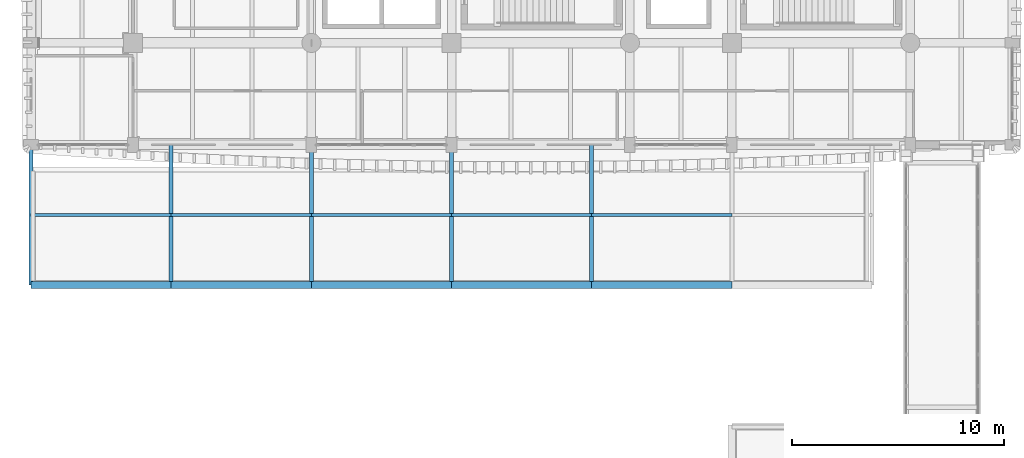
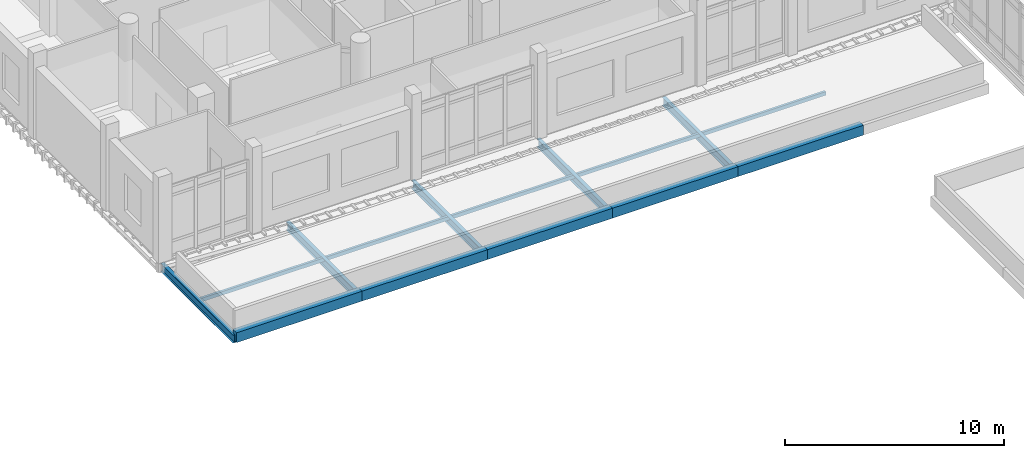
# One storey, part 25 of 125: 10 beams, 5 members.
"""IFC4 building model written with IfcOpenShell, lengths in metres."""

from ifc_helpers import new_model, si_unit, direction, frame, origin, origin_2d, place, context, subcontext, project, spatial, rectangle, hollow_rectangle, i_section, extrude, material, material_profile, profile_set, type_object, element, save


model = new_model("IFC4")

# Units and contexts
model_context = context("Model", 3, precision=1e-05, world=origin(), true_north=direction((0.0, 1.0)))
body_context = subcontext(model_context, "Body", "Model", "MODEL_VIEW")
ifc_project = project(units=[si_unit("LENGTHUNIT", "METRE"), si_unit("AREAUNIT", "SQUARE_METRE"), si_unit("VOLUMEUNIT", "CUBIC_METRE"), si_unit("PLANEANGLEUNIT", "RADIAN"), si_unit("MASSUNIT", "GRAM", prefix="KILO")], contexts=[model_context])

# Site, building, storey
site_placement = place(None, origin())
site = spatial("IfcSite", under=ifc_project, at=site_placement, CompositionType="ELEMENT")
building_placement = place(site_placement, origin())
building = spatial("IfcBuilding", under=site, at=building_placement, Name="Dornvale Research Institute", CompositionType="ELEMENT")
storey_placement = place(building_placement, frame((0.0, 0.0, 5.39990234375)))
storey = spatial("IfcBuildingStorey", under=building, at=storey_placement, Name="L01", CompositionType="ELEMENT", Elevation=5.39990234375)

# Beams
ifc_material_1 = material(Name="Steel ASTM A992 Grade 50", Category="steel")
ifc_material_profile_1 = material_profile(ifc_material_1, i_section(OverallWidth=0.19091796875, OverallDepth=0.4599609375, WebThickness=0.010009765625, FlangeThickness=0.01611328125, at=origin_2d()), Name="W18X55")
ifc_profile_set_1 = profile_set([ifc_material_profile_1], Name="Steel ASTM A992 Grade 50")
beam_type_1 = type_object("IfcBeamType", Name="Beam_Steel_W18X55_Canopy", PredefinedType="BEAM", material=ifc_profile_set_1)
for number, where, z_axis, x_axis, name in (
    (1, (0.0, 92.39990234375, -0.429931640625), (0.0, 1.0, 0.0), (-1.0, 0.0, 0.0), "L01 canopy rib beam #1853"),
    (2, (6.60009765625, 92.39990234375, -0.429931640625), (0.0, 1.0, 0.0), (-1.0, 0.0, 0.0), "L01 canopy rib beam #1855"),
    (3, (13.199951171875, 92.39990234375, -0.429931640625), (0.0, 1.0, 0.0), (-1.0, 0.0, 0.0), "L01 canopy rib beam #1857"),
    (4, (19.800048828125, 92.39990234375, -0.429931640625), (0.0, 1.0, 0.0), (-1.0, 0.0, 0.0), "L01 canopy rib beam #1859"),
    (5, (26.39990234375, 92.39990234375, -0.429931640625), (0.0, 1.0, 0.0), (-1.0, 0.0, 0.0), "L01 canopy rib beam #1861"),
):
    element("IfcBeam", number, at=place(storey_placement, frame(where, z_axis=z_axis, x_axis=x_axis)), inside=storey, type_object=beam_type_1, Name=name, PredefinedType="BEAM", context=body_context, shape_type="SweptSolid", body=[
        extrude(i_section(OverallWidth=0.19091796875, OverallDepth=0.4599609375, WebThickness=0.010009765625, FlangeThickness=0.01611328125, at=origin_2d()), origin(), (0.0, 0.0, 1.0), 6.60009765625),
    ])
ifc_material_2 = material(Name="Concrete f'c 45 MPa (C35/45)", Category="concrete")
ifc_material_profile_2 = material_profile(ifc_material_2, rectangle(XDim=0.35009765625, YDim=0.550048828125, at=origin_2d()), Name="RC 350x550")
ifc_profile_set_2 = profile_set([ifc_material_profile_2], Name="Concrete f'c 45 MPa (C35/45)")
beam_type_2 = type_object("IfcBeamType", Name="Lintel_RC350x550_Arch", PredefinedType="LINTEL", material=ifc_profile_set_2)
beam_1_placement = place(storey_placement, frame((0.0, 92.39990234375, -0.27490234375), z_axis=(1.0, 0.0, 0.0), x_axis=(0.0, 1.0, 0.0)))
element("IfcBeam", 6, at=beam_1_placement, inside=storey, type_object=beam_type_2, Name="L01 colonnade arch lintel #1841", PredefinedType="LINTEL", context=body_context, shape_type="SweptSolid", body=[
    extrude(rectangle(XDim=0.35009765625, YDim=0.550048828125, at=origin_2d()), origin(), (0.0, 0.0, 1.0), 6.60009765625),
])
beam_2_placement = place(storey_placement, frame((6.60009765625, 92.39990234375, -0.27490234375), z_axis=(1.0, 0.0, 0.0), x_axis=(0.0, 1.0, 0.0)))
element("IfcBeam", 7, at=beam_2_placement, inside=storey, type_object=beam_type_2, Name="L01 colonnade arch lintel #1843", PredefinedType="LINTEL", context=body_context, shape_type="SweptSolid", body=[
    extrude(rectangle(XDim=0.35009765625, YDim=0.550048828125, at=origin_2d()), origin(), (0.0, 0.0, 1.0), 6.599853515625),
])
beam_3_placement = place(storey_placement, frame((13.199951171875, 92.39990234375, -0.27490234375), z_axis=(1.0, 0.0, 0.0), x_axis=(0.0, 1.0, 0.0)))
element("IfcBeam", 8, at=beam_3_placement, inside=storey, type_object=beam_type_2, Name="L01 colonnade arch lintel #1845", PredefinedType="LINTEL", context=body_context, shape_type="SweptSolid", body=[
    extrude(rectangle(XDim=0.35009765625, YDim=0.550048828125, at=origin_2d()), origin(), (0.0, 0.0, 1.0), 6.60009765625),
])
beam_4_placement = place(storey_placement, frame((19.800048828125, 92.39990234375, -0.27490234375), z_axis=(1.0, 0.0, 0.0), x_axis=(0.0, 1.0, 0.0)))
element("IfcBeam", 9, at=beam_4_placement, inside=storey, type_object=beam_type_2, Name="L01 colonnade arch lintel #1847", PredefinedType="LINTEL", context=body_context, shape_type="SweptSolid", body=[
    extrude(rectangle(XDim=0.35009765625, YDim=0.550048828125, at=origin_2d()), origin(), (0.0, 0.0, 1.0), 6.599853515625),
])
beam_5_placement = place(storey_placement, frame((26.39990234375, 92.39990234375, -0.27490234375), z_axis=(1.0, 0.0, 0.0), x_axis=(0.0, 1.0, 0.0)))
element("IfcBeam", 10, at=beam_5_placement, inside=storey, type_object=beam_type_2, Name="L01 colonnade arch lintel #1849", PredefinedType="LINTEL", context=body_context, shape_type="SweptSolid", body=[
    extrude(rectangle(XDim=0.35009765625, YDim=0.550048828125, at=origin_2d()), origin(), (0.0, 0.0, 1.0), 6.60009765625),
])

# Members
ifc_material_3 = material(Name="Steel ASTM A500 Grade C", Category="steel")
ifc_material_profile_3 = material_profile(ifc_material_3, hollow_rectangle(XDim=0.126953125, YDim=0.202880859375, WallThickness=0.00732421875, at=origin_2d()), Name="HSS203X127X7.9")
ifc_profile_set_3 = profile_set([ifc_material_profile_3], Name="Steel ASTM A500 Grade C")
member_type = type_object("IfcMemberType", Name="Purlin_HSS203X127_Canopy", PredefinedType="PURLIN", material=ifc_profile_set_3)
member_1_placement = place(storey_placement, frame((0.0, 95.699951171875, -0.301513671875), z_axis=(1.0, 0.0, 0.0), x_axis=(0.0, 1.0, 0.0)))
element("IfcMember", 11, at=member_1_placement, inside=storey, type_object=member_type, Name="Colonnade canopy purlin #7", PredefinedType="PURLIN", context=body_context, shape_type="SweptSolid", body=[
    extrude(hollow_rectangle(XDim=0.126953125, YDim=0.202880859375, WallThickness=0.00732421875, at=origin_2d()), origin(), (0.0, 0.0, 1.0), 6.60009765625),
])
member_2_placement = place(storey_placement, frame((6.60009765625, 95.699951171875, -0.301513671875), z_axis=(1.0, 0.0, 0.0), x_axis=(0.0, 1.0, 0.0)))
element("IfcMember", 12, at=member_2_placement, inside=storey, type_object=member_type, Name="Colonnade canopy purlin #8", PredefinedType="PURLIN", context=body_context, shape_type="SweptSolid", body=[
    extrude(hollow_rectangle(XDim=0.126953125, YDim=0.202880859375, WallThickness=0.00732421875, at=origin_2d()), origin(), (0.0, 0.0, 1.0), 6.599853515625),
])
member_3_placement = place(storey_placement, frame((13.199951171875, 95.699951171875, -0.301513671875), z_axis=(1.0, 0.0, 0.0), x_axis=(0.0, 1.0, 0.0)))
element("IfcMember", 13, at=member_3_placement, inside=storey, type_object=member_type, Name="Colonnade canopy purlin #9", PredefinedType="PURLIN", context=body_context, shape_type="SweptSolid", body=[
    extrude(hollow_rectangle(XDim=0.126953125, YDim=0.202880859375, WallThickness=0.00732421875, at=origin_2d()), origin(), (0.0, 0.0, 1.0), 6.60009765625),
])
member_4_placement = place(storey_placement, frame((19.800048828125, 95.699951171875, -0.301513671875), z_axis=(1.0, 0.0, 0.0), x_axis=(0.0, 1.0, 0.0)))
element("IfcMember", 14, at=member_4_placement, inside=storey, type_object=member_type, Name="Colonnade canopy purlin #10", PredefinedType="PURLIN", context=body_context, shape_type="SweptSolid", body=[
    extrude(hollow_rectangle(XDim=0.126953125, YDim=0.202880859375, WallThickness=0.00732421875, at=origin_2d()), origin(), (0.0, 0.0, 1.0), 6.599853515625),
])
member_5_placement = place(storey_placement, frame((26.39990234375, 95.699951171875, -0.301513671875), z_axis=(1.0, 0.0, 0.0), x_axis=(0.0, 1.0, 0.0)))
element("IfcMember", 15, at=member_5_placement, inside=storey, type_object=member_type, Name="Colonnade canopy purlin #11", PredefinedType="PURLIN", context=body_context, shape_type="SweptSolid", body=[
    extrude(hollow_rectangle(XDim=0.126953125, YDim=0.202880859375, WallThickness=0.00732421875, at=origin_2d()), origin(), (0.0, 0.0, 1.0), 6.60009765625),
])

save(model, "model.ifc")
